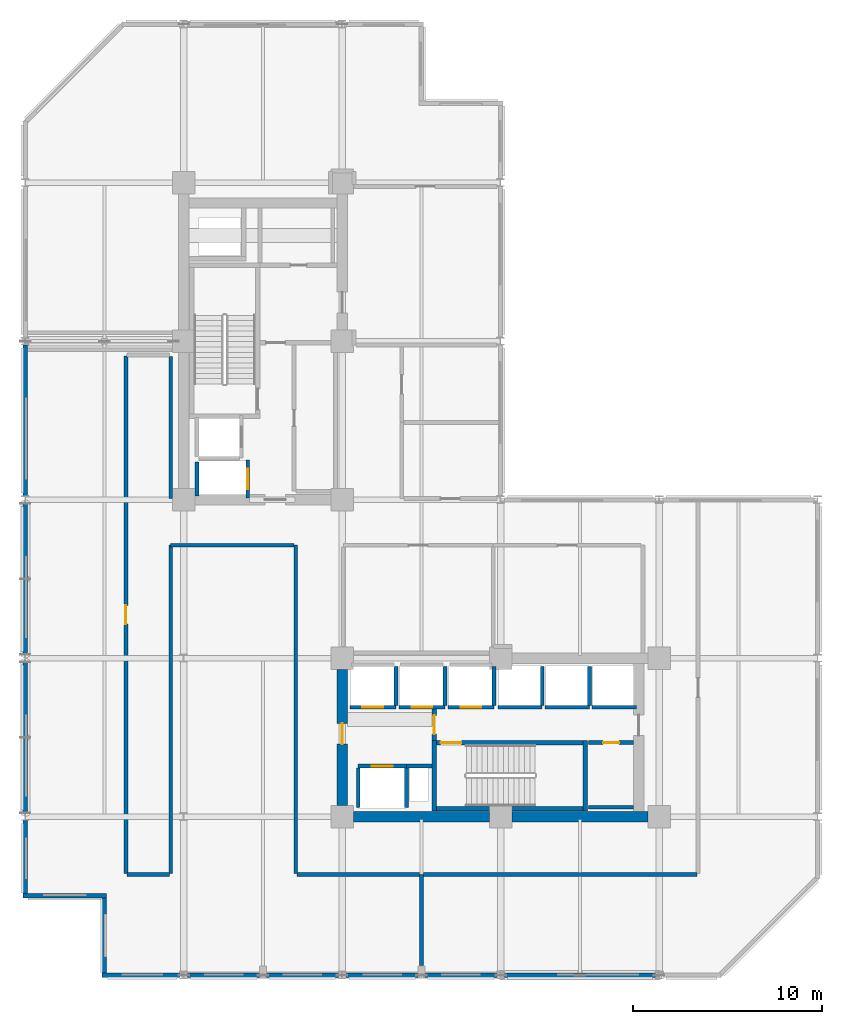
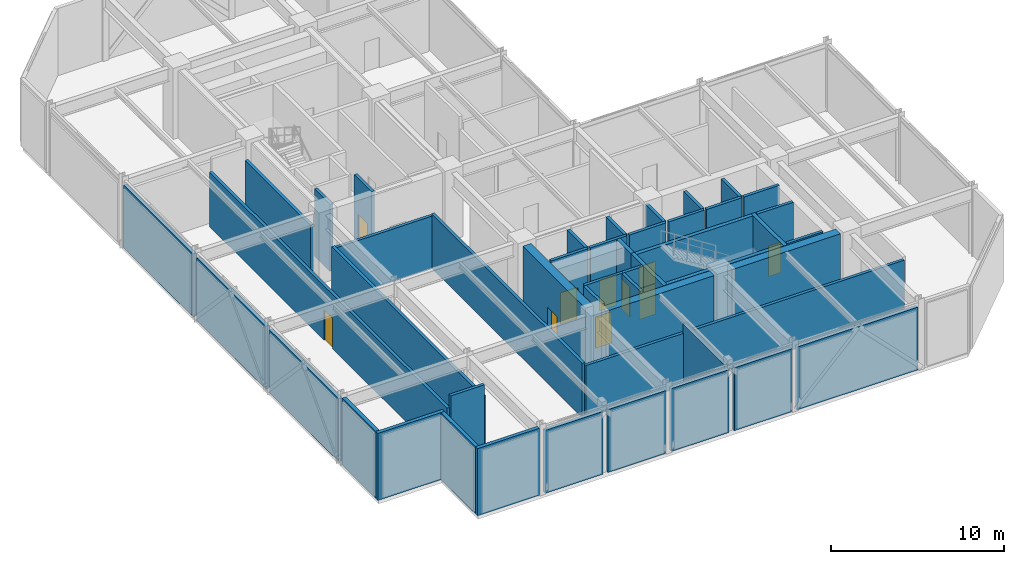
# One storey, part 5 of 10: 48 walls, 10 doors, 10 openings.
"""IFC4 building model written with IfcOpenShell, lengths in metres."""

from ifc_helpers import new_model, si_unit, direction, frame, frame_2d, origin, place, context, subcontext, project, spatial, rectangle, extrude, material, layer, layer_set, type_object, element, fill, save


model = new_model("IFC4")

# Units and contexts
model_context = context("Model", 3, precision=1e-05, world=origin(), true_north=direction((0.0, 1.0)))
body_context = subcontext(model_context, "Body", "Model", "MODEL_VIEW")
ifc_project = project(units=[si_unit("LENGTHUNIT", "METRE"), si_unit("AREAUNIT", "SQUARE_METRE"), si_unit("VOLUMEUNIT", "CUBIC_METRE"), si_unit("PLANEANGLEUNIT", "RADIAN"), si_unit("MASSUNIT", "GRAM", prefix="KILO")], contexts=[model_context])

# Site, building, storey
site_placement = place(None, origin())
site = spatial("IfcSite", under=ifc_project, at=site_placement, CompositionType="ELEMENT")
building_placement = place(site_placement, origin())
building = spatial("IfcBuilding", under=site, at=building_placement, Name="Nerrivon Quay Data Exchange", CompositionType="ELEMENT")
storey_placement = place(building_placement, frame((0.0, 0.0, 162.300048828125)))
storey = spatial("IfcBuildingStorey", under=building, at=storey_placement, Name="L38", CompositionType="ELEMENT", Elevation=162.300048828125)

# Walls
ifc_material_1 = material(Name="Architectural terracotta precast concrete N50 (50 MPa)", Category="masonry")
ifc_layer_1 = layer(ifc_material_1, 0.239990234375)
ifc_layer_set_1 = layer_set([ifc_layer_1], Name="Architectural terracotta precast concrete N50 (50 MPa)")
wall_type_1 = type_object("IfcWallType", Name="EW-PREC-240", PredefinedType="STANDARD", material=ifc_layer_set_1)
wall_1_placement = place(storey_placement, frame((33.39990234375, 0.0, 0.0), z_axis=(0.0, 0.0, 1.0), x_axis=(-1.0, 0.0, 0.0)))
element("IfcWall", 1, at=wall_1_placement, inside=storey, type_object=wall_type_1, Name="L38 Plant Enclosure Wall 3", PredefinedType="STANDARD", context=body_context, shape_type="SweptSolid", body=[
    extrude(rectangle(XDim=8.0, YDim=0.239990234375, at=frame_2d((4.0, 0.0))), origin(), (0.0, 0.0, 1.0), 4.425048828125),
])
for number, where, z_axis, x_axis, name in (
    (2, (25.0, 0.0, 0.0), (0.0, 0.0, 1.0), (-1.0, 0.0, 0.0), "L38 Plant Enclosure Wall 4"),
    (3, (20.824951171875, 0.0, 0.0), (0.0, 0.0, 1.0), (-1.0, 0.0, 0.0), "L38 Plant Enclosure Wall 5"),
):
    element("IfcWall", number, at=place(storey_placement, frame(where, z_axis=z_axis, x_axis=x_axis)), inside=storey, type_object=wall_type_1, Name=name, PredefinedType="STANDARD", context=body_context, shape_type="SweptSolid", body=[
        extrude(rectangle(XDim=3.824951171875, YDim=0.239990234375, at=frame_2d((1.91259765625, 0.0))), origin(), (0.0, 0.0, 1.0), 4.425048828125),
    ])
wall_2_placement = place(storey_placement, frame((16.60009765625, 0.0, 0.0), z_axis=(0.0, 0.0, 1.0), x_axis=(-1.0, 0.0, 0.0)))
element("IfcWall", 4, at=wall_2_placement, inside=storey, type_object=wall_type_1, Name="L38 Plant Enclosure Wall 6", PredefinedType="STANDARD", context=body_context, shape_type="SweptSolid", body=[
    extrude(rectangle(XDim=3.8251953125, YDim=0.239990234375, at=frame_2d((1.91259765625, 0.0))), origin(), (0.0, 0.0, 1.0), 4.425048828125),
])
wall_3_placement = place(storey_placement, frame((12.425048828125, 0.0, 0.0), z_axis=(0.0, 0.0, 1.0), x_axis=(-1.0, 0.0, 0.0)))
element("IfcWall", 5, at=wall_3_placement, inside=storey, type_object=wall_type_1, Name="L38 Plant Enclosure Wall 7", PredefinedType="STANDARD", context=body_context, shape_type="SweptSolid", body=[
    extrude(rectangle(XDim=3.824951171875, YDim=0.239990234375, at=frame_2d((1.91259765625, 0.0))), origin(), (0.0, 0.0, 1.0), 4.425048828125),
])
wall_4_placement = place(storey_placement, frame((8.199951171875, 0.0, 0.0), z_axis=(0.0, 0.0, 1.0), x_axis=(-1.0, 0.0, 0.0)))
element("IfcWall", 6, at=wall_4_placement, inside=storey, type_object=wall_type_1, Name="L38 Plant Enclosure Wall 8", PredefinedType="STANDARD", context=body_context, shape_type="SweptSolid", body=[
    extrude(rectangle(XDim=4.119873046875, YDim=0.239990234375, at=frame_2d((2.06005859375, 0.0))), origin(), (0.0, 0.0, 1.0), 4.724853515625),
])
wall_5_placement = place(storey_placement, frame((4.199951171875, 0.1201171875, 0.0), z_axis=(0.0, 0.0, 1.0), x_axis=(0.0, 1.0, 0.0)))
element("IfcWall", 7, at=wall_5_placement, inside=storey, type_object=wall_type_1, Name="L38 Plant Enclosure Wall 9", PredefinedType="STANDARD", context=body_context, shape_type="SweptSolid", body=[
    extrude(rectangle(XDim=3.9599609375, YDim=0.239990234375, at=frame_2d((1.97998046875, 0.0))), origin(), (0.0, 0.0, 1.0), 4.724853515625),
])
wall_6_placement = place(storey_placement, frame((4.320068359375, 4.199951171875, 0.0), z_axis=(0.0, 0.0, 1.0), x_axis=(-1.0, 0.0, 0.0)))
element("IfcWall", 8, at=wall_6_placement, inside=storey, type_object=wall_type_1, Name="L38 Plant Enclosure Wall 10", PredefinedType="STANDARD", context=body_context, shape_type="SweptSolid", body=[
    extrude(rectangle(XDim=4.440185546875, YDim=0.239990234375, at=frame_2d((2.22021484375, 0.0))), origin(), (0.0, 0.0, 1.0), 4.724853515625),
])
wall_7_placement = place(storey_placement, frame((0.0, 4.320068359375, 0.0), z_axis=(0.0, 0.0, 1.0), x_axis=(0.0, 1.0, 0.0)))
element("IfcWall", 9, at=wall_7_placement, inside=storey, type_object=wall_type_1, Name="L38 Plant Enclosure Wall 11", PredefinedType="STANDARD", context=body_context, shape_type="SweptSolid", body=[
    extrude(rectangle(XDim=3.8798828125, YDim=0.239990234375, at=frame_2d((1.93994140625, 0.0))), origin(), (0.0, 0.0, 1.0), 4.724853515625),
])
for number, where, z_axis, x_axis, name in (
    (10, (0.0, 8.60009765625, 0.0), (0.0, 0.0, 1.0), (0.0, 1.0, 0.0), "L38 Plant Enclosure Wall 12"),
    (11, (0.0, 17.0, 0.0), (0.0, 0.0, 1.0), (0.0, 1.0, 0.0), "L38 Plant Enclosure Wall 13"),
    (12, (0.0, 25.39990234375, 0.0), (0.0, 0.0, 1.0), (0.0, 1.0, 0.0), "L38 Plant Enclosure Wall 14"),
):
    element("IfcWall", number, at=place(storey_placement, frame(where, z_axis=z_axis, x_axis=x_axis)), inside=storey, type_object=wall_type_1, Name=name, PredefinedType="STANDARD", context=body_context, shape_type="SweptSolid", body=[
        extrude(rectangle(XDim=8.0, YDim=0.239990234375, at=frame_2d((4.0, 0.0))), origin(), (0.0, 0.0, 1.0), 4.425048828125),
    ])
ifc_material_2 = material(Name="Concrete S65 (65 MPa)", Category="concrete")
ifc_layer_2 = layer(ifc_material_2, 0.550048828125)
ifc_layer_set_2 = layer_set([ifc_layer_2], Name="Concrete S65 (65 MPa)")
wall_type_2 = type_object("IfcWallType", Name="WALL-CW-700", PredefinedType="SHEAR", material=ifc_layer_set_2)
wall_8_placement = place(storey_placement, frame((17.39990234375, 8.39990234375, 0.0), z_axis=(0.0, 0.0, 1.0), x_axis=(1.0, 0.0, 0.0)))
element("IfcWall", 13, at=wall_8_placement, inside=storey, type_object=wall_type_2, Name="L38 East Split-Core Shear Wall ECW-S1", PredefinedType="SHEAR", context=body_context, shape_type="SweptSolid", body=[
    extrude(rectangle(XDim=7.2001953125, YDim=0.550048828125, at=frame_2d((3.60009765625, 0.0))), origin(), (0.0, 0.0, 1.0), 4.724853515625),
])
wall_9_placement = place(storey_placement, frame((25.800048828125, 8.39990234375, 0.0), z_axis=(0.0, 0.0, 1.0), x_axis=(1.0, 0.0, 0.0)))
element("IfcWall", 14, at=wall_9_placement, inside=storey, type_object=wall_type_2, Name="L38 East Split-Core Shear Wall ECW-S2", PredefinedType="SHEAR", context=body_context, shape_type="SweptSolid", body=[
    extrude(rectangle(XDim=7.199951171875, YDim=0.550048828125, at=frame_2d((3.60009765625, 0.0))), origin(), (0.0, 0.0, 1.0), 4.724853515625),
])

# Wall, opening, door
wall_10_placement = place(storey_placement, frame((16.800048828125, 9.0, 0.0), z_axis=(0.0, 0.0, 1.0), x_axis=(0.0, 1.0, 0.0)))
wall_10 = element("IfcWall", 15, at=wall_10_placement, inside=storey, type_object=wall_type_2, Name="L38 East Split-Core Shear Wall ECW-W1", PredefinedType="SHEAR", context=body_context, shape_type="SweptSolid", body=[
    extrude(rectangle(XDim=7.199951171875, YDim=0.550048828125, at=frame_2d((3.60009765625, 0.0))), origin(), (0.0, 0.0, 1.0), 4.724853515625),
])
opening_1_placement = place(wall_10_placement, frame((3.25, 0.0, 0.0)))
opening_1 = element("IfcOpeningElement", 16, at=opening_1_placement, cuts=wall_10, Name="Opening FD-120", PredefinedType="OPENING", context=body_context, shape_type="SweptSolid", body=[
    extrude(rectangle(XDim=1.10009765625, YDim=2.14990234375, at=frame_2d((0.550048828125, 1.074951171875))), frame((0.0, 0.284912109375, 0.0), z_axis=(0.0, -1.0, 0.0), x_axis=(1.0, 0.0, 0.0)), (0.0, 0.0, 1.0), 0.570068359375),
])
ifc_material_3 = material(Name="Powder-coated galvanized steel sheet", Category="steel")
door_type_1 = type_object("IfcDoorType", Name="DR-FD120-1100", OperationType="NOTDEFINED", PredefinedType="DOOR", material=ifc_material_3)
door_1_placement = place(opening_1_placement, origin())
door_1 = element("IfcDoor", 17, at=door_1_placement, inside=storey, type_object=door_type_1, Name="L38 East Core Lobby Fire Door", OperationType="SINGLE_SWING_LEFT", OverallHeight=2.14990234375, OverallWidth=1.10009765625, PredefinedType="DOOR", context=body_context, shape_type="SweptSolid", body=[
    extrude(rectangle(XDim=1.10009765625, YDim=2.14990234375, at=frame_2d((0.550048828125, 1.074951171875))), frame((0.0, 0.02490234375, 0.0), z_axis=(0.0, -1.0, 0.0), x_axis=(1.0, 0.0, 0.0)), (0.0, 0.0, 1.0), 0.050048828125),
])
fill(opening_1, door_1)

# Wall
ifc_material_4 = material(Name="Gypsum plasterboard on cold-formed framing", Category="gypsum")
ifc_layer_3 = layer(ifc_material_4, 0.199951171875)
ifc_layer_set_3 = layer_set([ifc_layer_3], Name="Gypsum plasterboard on cold-formed framing")
wall_type_3 = type_object("IfcWallType", Name="WALL-FW-200", PredefinedType="PARTITIONING", material=ifc_layer_set_3)
wall_11_placement = place(storey_placement, frame((20.199951171875, 11.080078125, 0.0), z_axis=(0.0, 0.0, 1.0), x_axis=(1.0, 0.0, 0.0)))
element("IfcWall", 18, at=wall_11_placement, inside=storey, type_object=wall_type_3, Name="L38 East Core MEP Riser Shaft Wall N", PredefinedType="PARTITIONING", context=body_context, shape_type="SweptSolid", body=[
    extrude(rectangle(XDim=1.35009765625, YDim=0.199951171875, at=frame_2d((0.675048828125, 0.0))), origin(), (0.0, 0.0, 1.0), 4.724853515625),
])

# Wall, opening, door
wall_12_placement = place(storey_placement, frame((11.800048828125, 25.300048828125, 0.0), z_axis=(0.0, 0.0, 1.0), x_axis=(0.0, 1.0, 0.0)))
wall_12 = element("IfcWall", 19, at=wall_12_placement, inside=storey, type_object=wall_type_3, Name="L38 Lift Front Wall SVL-1", PredefinedType="PARTITIONING", context=body_context, shape_type="SweptSolid", body=[
    extrude(rectangle(XDim=2.0, YDim=0.199951171875, at=frame_2d((1.0, 0.0))), origin(), (0.0, 0.0, 1.0), 4.724853515625),
])
opening_2_placement = place(wall_12_placement, frame((0.449951171875, 0.0, 0.0)))
opening_2 = element("IfcOpeningElement", 20, at=opening_2_placement, cuts=wall_12, Name="Opening LD-120", PredefinedType="OPENING", context=body_context, shape_type="SweptSolid", body=[
    extrude(rectangle(XDim=1.10009765625, YDim=2.199951171875, at=frame_2d((0.550048828125, 1.10009765625))), frame((0.0, 0.10986328125, 0.0), z_axis=(0.0, -1.0, 0.0), x_axis=(1.0, 0.0, 0.0)), (0.0, 0.0, 1.0), 0.219970703125),
])
door_type_2 = type_object("IfcDoorType", Name="DR-LIFT-LD120", OperationType="DOUBLE_DOOR_SLIDING", PredefinedType="DOOR", material=ifc_material_3)
door_2_placement = place(opening_2_placement, origin())
door_2 = element("IfcDoor", 21, at=door_2_placement, inside=storey, type_object=door_type_2, Name="L38 Lift Landing Sliding Door SVL-1", OperationType="DOUBLE_DOOR_SLIDING", OverallHeight=2.199951171875, OverallWidth=1.10009765625, PredefinedType="DOOR", context=body_context, shape_type="SweptSolid", body=[
    extrude(rectangle(XDim=1.10009765625, YDim=2.199951171875, at=frame_2d((0.550048828125, 1.10009765625))), frame((0.0, 0.02490234375, 0.0), z_axis=(0.0, -1.0, 0.0), x_axis=(1.0, 0.0, 0.0)), (0.0, 0.0, 1.0), 0.050048828125),
])
fill(opening_2, door_2)

# Wall
wall_13_placement = place(storey_placement, frame((9.10009765625, 25.39990234375, 0.0), z_axis=(0.0, 0.0, 1.0), x_axis=(0.0, 1.0, 0.0)))
element("IfcWall", 22, at=wall_13_placement, inside=storey, type_object=wall_type_3, Name="L38 Lift Shaft Wall SVL-1 WEST", PredefinedType="PARTITIONING", context=body_context, shape_type="SweptSolid", body=[
    extrude(rectangle(XDim=1.800048828125, YDim=0.199951171875, at=frame_2d((0.89990234375, 0.0))), origin(), (0.0, 0.0, 1.0), 4.724853515625),
])

# Wall, opening, door
wall_14_placement = place(storey_placement, frame((17.64990234375, 11.080078125, 0.0), z_axis=(0.0, 0.0, 1.0), x_axis=(1.0, 0.0, 0.0)))
wall_14 = element("IfcWall", 23, at=wall_14_placement, inside=storey, type_object=wall_type_3, Name="L38 Lift Front Wall FFL-2", PredefinedType="PARTITIONING", context=body_context, shape_type="SweptSolid", body=[
    extrude(rectangle(XDim=2.550048828125, YDim=0.199951171875, at=frame_2d((1.27490234375, 0.0))), origin(), (0.0, 0.0, 1.0), 4.724853515625),
])
opening_3_placement = place(wall_14_placement, frame((0.72509765625, 0.0, 0.0)))
opening_3 = element("IfcOpeningElement", 24, at=opening_3_placement, cuts=wall_14, Name="Opening LD-120", PredefinedType="OPENING", context=body_context, shape_type="SweptSolid", body=[
    extrude(rectangle(XDim=1.10009765625, YDim=2.199951171875, at=frame_2d((0.550048828125, 1.10009765625))), frame((0.0, 0.10986328125, 0.0), z_axis=(0.0, -1.0, 0.0), x_axis=(1.0, 0.0, 0.0)), (0.0, 0.0, 1.0), 0.219970703125),
])
door_3_placement = place(opening_3_placement, origin())
door_3 = element("IfcDoor", 25, at=door_3_placement, inside=storey, type_object=door_type_2, Name="L38 Lift Landing Sliding Door FFL-2", OperationType="DOUBLE_DOOR_SLIDING", OverallHeight=2.199951171875, OverallWidth=1.10009765625, PredefinedType="DOOR", context=body_context, shape_type="SweptSolid", body=[
    extrude(rectangle(XDim=1.10009765625, YDim=2.199951171875, at=frame_2d((0.550048828125, 1.10009765625))), frame((0.0, 0.02490234375, 0.0), z_axis=(0.0, -1.0, 0.0), x_axis=(1.0, 0.0, 0.0)), (0.0, 0.0, 1.0), 0.050048828125),
])
fill(opening_3, door_3)

# Walls
for number, where, z_axis, x_axis, name in (
    (26, (20.199951171875, 8.8798828125, 0.0), (0.0, 0.0, 1.0), (0.0, 1.0, 0.0), "L38 Lift Shaft Wall FFL-2 EAST"),
    (27, (17.64990234375, 8.8798828125, 0.0), (0.0, 0.0, 1.0), (0.0, 1.0, 0.0), "L38 Lift Shaft Wall FFL-2 WEST"),
):
    element("IfcWall", number, at=place(storey_placement, frame(where, z_axis=z_axis, x_axis=x_axis)), inside=storey, type_object=wall_type_3, Name=name, PredefinedType="PARTITIONING", context=body_context, shape_type="SweptSolid", body=[
        extrude(rectangle(XDim=2.10009765625, YDim=0.199951171875, at=frame_2d((1.050048828125, 0.0))), origin(), (0.0, 0.0, 1.0), 4.724853515625),
    ])

# Wall, opening, door
wall_15_placement = place(storey_placement, frame((17.199951171875, 14.199951171875, 0.0), z_axis=(0.0, 0.0, 1.0), x_axis=(1.0, 0.0, 0.0)))
wall_15 = element("IfcWall", 28, at=wall_15_placement, inside=storey, type_object=wall_type_3, Name="L38 Lift Front Wall PL4", PredefinedType="PARTITIONING", context=body_context, shape_type="SweptSolid", body=[
    extrude(rectangle(XDim=2.449951171875, YDim=0.199951171875, at=frame_2d((1.22509765625, 0.0))), origin(), (0.0, 0.0, 1.0), 4.724853515625),
])
opening_4_placement = place(wall_15_placement, frame((0.675048828125, 0.0, 0.0)))
opening_4 = element("IfcOpeningElement", 29, at=opening_4_placement, cuts=wall_15, Name="Opening LD-120", PredefinedType="OPENING", context=body_context, shape_type="SweptSolid", body=[
    extrude(rectangle(XDim=1.10009765625, YDim=2.199951171875, at=frame_2d((0.550048828125, 1.10009765625))), frame((0.0, 0.10986328125, 0.0), z_axis=(0.0, -1.0, 0.0), x_axis=(1.0, 0.0, 0.0)), (0.0, 0.0, 1.0), 0.219970703125),
])
door_4_placement = place(opening_4_placement, origin())
door_4 = element("IfcDoor", 30, at=door_4_placement, inside=storey, type_object=door_type_2, Name="L38 Lift Landing Sliding Door PL4", OperationType="DOUBLE_DOOR_SLIDING", OverallHeight=2.199951171875, OverallWidth=1.10009765625, PredefinedType="DOOR", context=body_context, shape_type="SweptSolid", body=[
    extrude(rectangle(XDim=1.10009765625, YDim=2.199951171875, at=frame_2d((0.550048828125, 1.10009765625))), frame((0.0, 0.02490234375, 0.0), z_axis=(0.0, -1.0, 0.0), x_axis=(1.0, 0.0, 0.0)), (0.0, 0.0, 1.0), 0.050048828125),
])
fill(opening_4, door_4)

# Wall
wall_16_placement = place(storey_placement, frame((19.64990234375, 14.300048828125, 0.0), z_axis=(0.0, 0.0, 1.0), x_axis=(0.0, 1.0, 0.0)))
element("IfcWall", 31, at=wall_16_placement, inside=storey, type_object=wall_type_3, Name="L38 Lift Shaft Wall PL4 EAST", PredefinedType="PARTITIONING", context=body_context, shape_type="SweptSolid", body=[
    extrude(rectangle(XDim=2.050048828125, YDim=0.199951171875, at=frame_2d((1.02490234375, 0.0))), origin(), (0.0, 0.0, 1.0), 4.724853515625),
])

# Wall, opening, door
wall_17_placement = place(storey_placement, frame((19.800048828125, 14.199951171875, 0.0), z_axis=(0.0, 0.0, 1.0), x_axis=(1.0, 0.0, 0.0)))
wall_17 = element("IfcWall", 32, at=wall_17_placement, inside=storey, type_object=wall_type_3, Name="L38 Lift Front Wall PL5", PredefinedType="PARTITIONING", context=body_context, shape_type="SweptSolid", body=[
    extrude(rectangle(XDim=2.449951171875, YDim=0.199951171875, at=frame_2d((1.22509765625, 0.0))), origin(), (0.0, 0.0, 1.0), 4.724853515625),
])
opening_5_placement = place(wall_17_placement, frame((0.675048828125, 0.0, 0.0)))
opening_5 = element("IfcOpeningElement", 33, at=opening_5_placement, cuts=wall_17, Name="Opening LD-120", PredefinedType="OPENING", context=body_context, shape_type="SweptSolid", body=[
    extrude(rectangle(XDim=1.10009765625, YDim=2.199951171875, at=frame_2d((0.550048828125, 1.10009765625))), frame((0.0, 0.10986328125, 0.0), z_axis=(0.0, -1.0, 0.0), x_axis=(1.0, 0.0, 0.0)), (0.0, 0.0, 1.0), 0.219970703125),
])
door_5_placement = place(opening_5_placement, origin())
door_5 = element("IfcDoor", 34, at=door_5_placement, inside=storey, type_object=door_type_2, Name="L38 Lift Landing Sliding Door PL5", OperationType="DOUBLE_DOOR_SLIDING", OverallHeight=2.199951171875, OverallWidth=1.10009765625, PredefinedType="DOOR", context=body_context, shape_type="SweptSolid", body=[
    extrude(rectangle(XDim=1.10009765625, YDim=2.199951171875, at=frame_2d((0.550048828125, 1.10009765625))), frame((0.0, 0.02490234375, 0.0), z_axis=(0.0, -1.0, 0.0), x_axis=(1.0, 0.0, 0.0)), (0.0, 0.0, 1.0), 0.050048828125),
])
fill(opening_5, door_5)

# Wall
wall_18_placement = place(storey_placement, frame((22.25, 14.300048828125, 0.0), z_axis=(0.0, 0.0, 1.0), x_axis=(0.0, 1.0, 0.0)))
element("IfcWall", 35, at=wall_18_placement, inside=storey, type_object=wall_type_3, Name="L38 Lift Shaft Wall PL5 EAST", PredefinedType="PARTITIONING", context=body_context, shape_type="SweptSolid", body=[
    extrude(rectangle(XDim=2.050048828125, YDim=0.199951171875, at=frame_2d((1.02490234375, 0.0))), origin(), (0.0, 0.0, 1.0), 4.724853515625),
])

# Wall, opening, door
wall_19_placement = place(storey_placement, frame((22.39990234375, 14.199951171875, 0.0), z_axis=(0.0, 0.0, 1.0), x_axis=(1.0, 0.0, 0.0)))
wall_19 = element("IfcWall", 36, at=wall_19_placement, inside=storey, type_object=wall_type_3, Name="L38 Lift Front Wall PL6", PredefinedType="PARTITIONING", context=body_context, shape_type="SweptSolid", body=[
    extrude(rectangle(XDim=2.4501953125, YDim=0.199951171875, at=frame_2d((1.22509765625, 0.0))), origin(), (0.0, 0.0, 1.0), 4.724853515625),
])
opening_6_placement = place(wall_19_placement, frame((0.675048828125, 0.0, 0.0)))
opening_6 = element("IfcOpeningElement", 37, at=opening_6_placement, cuts=wall_19, Name="Opening LD-120", PredefinedType="OPENING", context=body_context, shape_type="SweptSolid", body=[
    extrude(rectangle(XDim=1.10009765625, YDim=2.199951171875, at=frame_2d((0.550048828125, 1.10009765625))), frame((0.0, 0.10986328125, 0.0), z_axis=(0.0, -1.0, 0.0), x_axis=(1.0, 0.0, 0.0)), (0.0, 0.0, 1.0), 0.219970703125),
])
door_6_placement = place(opening_6_placement, origin())
door_6 = element("IfcDoor", 38, at=door_6_placement, inside=storey, type_object=door_type_2, Name="L38 Lift Landing Sliding Door PL6", OperationType="DOUBLE_DOOR_SLIDING", OverallHeight=2.199951171875, OverallWidth=1.10009765625, PredefinedType="DOOR", context=body_context, shape_type="SweptSolid", body=[
    extrude(rectangle(XDim=1.10009765625, YDim=2.199951171875, at=frame_2d((0.550048828125, 1.10009765625))), frame((0.0, 0.02490234375, 0.0), z_axis=(0.0, -1.0, 0.0), x_axis=(1.0, 0.0, 0.0)), (0.0, 0.0, 1.0), 0.050048828125),
])
fill(opening_6, door_6)

# Walls
wall_20_placement = place(storey_placement, frame((24.85009765625, 14.300048828125, 0.0), z_axis=(0.0, 0.0, 1.0), x_axis=(0.0, 1.0, 0.0)))
element("IfcWall", 39, at=wall_20_placement, inside=storey, type_object=wall_type_3, Name="L38 Lift Shaft Wall PL6 EAST", PredefinedType="PARTITIONING", context=body_context, shape_type="SweptSolid", body=[
    extrude(rectangle(XDim=2.050048828125, YDim=0.199951171875, at=frame_2d((1.02490234375, 0.0))), origin(), (0.0, 0.0, 1.0), 4.724853515625),
])
wall_21_placement = place(storey_placement, frame((25.050048828125, 14.199951171875, 0.0), z_axis=(0.0, 0.0, 1.0), x_axis=(1.0, 0.0, 0.0)))
element("IfcWall", 40, at=wall_21_placement, inside=storey, type_object=wall_type_3, Name="L38 Lift Front Wall PL7", PredefinedType="PARTITIONING", context=body_context, shape_type="SweptSolid", body=[
    extrude(rectangle(XDim=2.349853515625, YDim=0.199951171875, at=frame_2d((1.1748046875, 0.0))), origin(), (0.0, 0.0, 1.0), 4.724853515625),
])
wall_22_placement = place(storey_placement, frame((27.39990234375, 14.300048828125, 0.0), z_axis=(0.0, 0.0, 1.0), x_axis=(0.0, 1.0, 0.0)))
element("IfcWall", 41, at=wall_22_placement, inside=storey, type_object=wall_type_3, Name="L38 Lift Shaft Wall PL7 EAST", PredefinedType="PARTITIONING", context=body_context, shape_type="SweptSolid", body=[
    extrude(rectangle(XDim=2.050048828125, YDim=0.199951171875, at=frame_2d((1.02490234375, 0.0))), origin(), (0.0, 0.0, 1.0), 4.724853515625),
])
wall_23_placement = place(storey_placement, frame((27.550048828125, 14.199951171875, 0.0), z_axis=(0.0, 0.0, 1.0), x_axis=(1.0, 0.0, 0.0)))
element("IfcWall", 42, at=wall_23_placement, inside=storey, type_object=wall_type_3, Name="L38 Lift Front Wall PL8", PredefinedType="PARTITIONING", context=body_context, shape_type="SweptSolid", body=[
    extrude(rectangle(XDim=2.349853515625, YDim=0.199951171875, at=frame_2d((1.1748046875, 0.0))), origin(), (0.0, 0.0, 1.0), 4.724853515625),
])
wall_24_placement = place(storey_placement, frame((29.89990234375, 14.300048828125, 0.0), z_axis=(0.0, 0.0, 1.0), x_axis=(0.0, 1.0, 0.0)))
element("IfcWall", 43, at=wall_24_placement, inside=storey, type_object=wall_type_3, Name="L38 Lift Shaft Wall PL8 EAST", PredefinedType="PARTITIONING", context=body_context, shape_type="SweptSolid", body=[
    extrude(rectangle(XDim=2.050048828125, YDim=0.199951171875, at=frame_2d((1.02490234375, 0.0))), origin(), (0.0, 0.0, 1.0), 4.724853515625),
])
wall_25_placement = place(storey_placement, frame((30.050048828125, 14.199951171875, 0.0), z_axis=(0.0, 0.0, 1.0), x_axis=(1.0, 0.0, 0.0)))
element("IfcWall", 44, at=wall_25_placement, inside=storey, type_object=wall_type_3, Name="L38 Lift Front Wall PL9", PredefinedType="PARTITIONING", context=body_context, shape_type="SweptSolid", body=[
    extrude(rectangle(XDim=2.349853515625, YDim=0.199951171875, at=frame_2d((1.1748046875, 0.0))), origin(), (0.0, 0.0, 1.0), 4.724853515625),
])

# Wall, opening, door
wall_26_placement = place(storey_placement, frame((32.24609375, 12.330078125, 0.0), z_axis=(0.0, 0.0, 1.0), x_axis=(-1.0, 0.0, 0.0)))
wall_26 = element("IfcWall", 45, at=wall_26_placement, inside=storey, type_object=wall_type_3, Name="L38 Partition East Telecom Closet", PredefinedType="PARTITIONING", context=body_context, shape_type="SweptSolid", body=[
    extrude(rectangle(XDim=2.39599609375, YDim=0.199951171875, at=frame_2d((1.197998046875, 0.0))), origin(), (0.0, 0.0, 1.0), 4.724853515625),
])
opening_7_placement = place(wall_26_placement, frame((0.77294921875, 0.0, 0.0)))
opening_7 = element("IfcOpeningElement", 46, at=opening_7_placement, cuts=wall_26, Name="Opening FD-60S", PredefinedType="OPENING", context=body_context, shape_type="SweptSolid", body=[
    extrude(rectangle(XDim=0.85009765625, YDim=2.14990234375, at=frame_2d((0.425048828125, 1.074951171875))), frame((0.0, 0.10986328125, 0.0), z_axis=(0.0, -1.0, 0.0), x_axis=(1.0, 0.0, 0.0)), (0.0, 0.0, 1.0), 0.219970703125),
])
ifc_material_5 = material(Name="Engineered hardwood timber", Category="wood")
door_type_3 = type_object("IfcDoorType", Name="DR-FD60-850", OperationType="NOTDEFINED", PredefinedType="DOOR", material=ifc_material_5)
door_7_placement = place(opening_7_placement, origin())
door_7 = element("IfcDoor", 47, at=door_7_placement, inside=storey, type_object=door_type_3, Name="L38 Door East Telecom Closet", OperationType="SINGLE_SWING_RIGHT", OverallHeight=2.14990234375, OverallWidth=0.85009765625, PredefinedType="DOOR", context=body_context, shape_type="SweptSolid", body=[
    extrude(rectangle(XDim=0.85009765625, YDim=2.14990234375, at=frame_2d((0.425048828125, 1.074951171875))), frame((0.0, 0.02490234375, 0.0), z_axis=(0.0, -1.0, 0.0), x_axis=(1.0, 0.0, 0.0)), (0.0, 0.0, 1.0), 0.050048828125),
])
fill(opening_7, door_7)

# Walls
wall_27_placement = place(storey_placement, frame((29.85009765625, 8.89990234375, 0.0), z_axis=(0.0, 0.0, 1.0), x_axis=(1.0, 0.0, 0.0)))
element("IfcWall", 48, at=wall_27_placement, inside=storey, type_object=wall_type_3, Name="L38 Partition East Telecom Closet", PredefinedType="PARTITIONING", context=body_context, shape_type="SweptSolid", body=[
    extrude(rectangle(XDim=2.39599609375, YDim=0.199951171875, at=frame_2d((1.197998046875, 0.0))), origin(), (0.0, 0.0, 1.0), 4.724853515625),
])
wall_28_placement = place(storey_placement, frame((21.0, 0.52001953125, 0.0), z_axis=(0.0, 0.0, 1.0), x_axis=(0.0, 1.0, 0.0)))
element("IfcWall", 49, at=wall_28_placement, inside=storey, type_object=wall_type_3, Name="L38 Partition Standby Generator Hall", PredefinedType="PARTITIONING", context=body_context, shape_type="SweptSolid", body=[
    extrude(rectangle(XDim=4.820068359375, YDim=0.199951171875, at=frame_2d((2.41015625, 0.0))), origin(), (0.0, 0.0, 1.0), 4.322021484375),
])
wall_29_placement = place(storey_placement, frame((20.89599609375, 5.340087890625, 0.0), z_axis=(0.0, 0.0, 1.0), x_axis=(-1.0, 0.0, 0.0)))
element("IfcWall", 50, at=wall_29_placement, inside=storey, type_object=wall_type_3, Name="L38 Partition Standby Generator Hall", PredefinedType="PARTITIONING", context=body_context, shape_type="SweptSolid", body=[
    extrude(rectangle(XDim=6.49609375, YDim=0.199951171875, at=frame_2d((3.248046875, 0.0))), origin(), (0.0, 0.0, 1.0), 3.708984375),
])
wall_30_placement = place(storey_placement, frame((14.340087890625, 5.39990234375, 0.0), z_axis=(0.0, 0.0, 1.0), x_axis=(0.0, 1.0, 0.0)))
element("IfcWall", 51, at=wall_30_placement, inside=storey, type_object=wall_type_3, Name="L38 Partition Standby Generator Hall", PredefinedType="PARTITIONING", context=body_context, shape_type="SweptSolid", body=[
    extrude(rectangle(XDim=17.39013671875, YDim=0.199951171875, at=frame_2d((8.695068359375, 0.0))), origin(), (0.0, 0.0, 1.0), 3.824951171875),
])
wall_31_placement = place(storey_placement, frame((14.236083984375, 22.7900390625, 0.0), z_axis=(0.0, 0.0, 1.0), x_axis=(-1.0, 0.0, 0.0)))
element("IfcWall", 52, at=wall_31_placement, inside=storey, type_object=wall_type_3, Name="L38 Partition Standby Generator Hall", PredefinedType="PARTITIONING", context=body_context, shape_type="SweptSolid", body=[
    extrude(rectangle(XDim=6.526123046875, YDim=0.199951171875, at=frame_2d((3.26318359375, 0.0))), origin(), (0.0, 0.0, 1.0), 3.708984375),
])
wall_32_placement = place(storey_placement, frame((7.7099609375, 22.7900390625, 0.0), z_axis=(0.0, 0.0, 1.0), x_axis=(-1.40343e-05, -0.999999999902, 0.0)))
element("IfcWall", 53, at=wall_32_placement, inside=storey, type_object=wall_type_3, Name="L38 Partition Standby Generator Hall", PredefinedType="PARTITIONING", context=body_context, shape_type="SweptSolid", body=[
    extrude(rectangle(XDim=17.39599609375, YDim=0.199951171875, at=frame_2d((8.697998046875, 0.0))), origin(), (0.0, 0.0, 1.0), 3.824951171875),
])
wall_33_placement = place(storey_placement, frame((7.64990234375, 5.340087890625, 0.0), z_axis=(0.0, 0.0, 1.0), x_axis=(-1.0, 0.0, 0.0)))
element("IfcWall", 54, at=wall_33_placement, inside=storey, type_object=wall_type_3, Name="L38 Partition Standby Generator Hall", PredefinedType="PARTITIONING", context=body_context, shape_type="SweptSolid", body=[
    extrude(rectangle(XDim=2.25, YDim=0.199951171875, at=frame_2d((1.125, 0.0))), origin(), (0.0, 0.0, 1.0), 4.724853515625),
])

# Wall, opening, door
wall_34_placement = place(storey_placement, frame((5.340087890625, 5.39990234375, 0.0), z_axis=(0.0, 0.0, 1.0), x_axis=(8.908289e-06, 0.99999999996, 0.0)))
wall_34 = element("IfcWall", 55, at=wall_34_placement, inside=storey, type_object=wall_type_3, Name="L38 Partition Standby Generator Hall", PredefinedType="PARTITIONING", context=body_context, shape_type="SweptSolid", body=[
    extrude(rectangle(XDim=27.406005859375, YDim=0.199951171875, at=frame_2d((13.703125, 0.0))), origin(), (0.0, 0.0, 1.0), 3.824951171875),
])
opening_8_placement = place(wall_34_placement, frame((13.202880859375, 0.0, 0.0)))
opening_8 = element("IfcOpeningElement", 56, at=opening_8_placement, cuts=wall_34, Name="Opening FD-60", PredefinedType="OPENING", context=body_context, shape_type="SweptSolid", body=[
    extrude(rectangle(XDim=1.0, YDim=2.14990234375, at=frame_2d((0.5, 1.074951171875))), frame((0.0, 0.10986328125, 0.0), z_axis=(0.0, -1.0, 0.0), x_axis=(1.0, 0.0, 0.0)), (0.0, 0.0, 1.0), 0.219970703125),
])
door_type_4 = type_object("IfcDoorType", Name="DR-FD60-1000", OperationType="NOTDEFINED", PredefinedType="DOOR", material=ifc_material_5)
door_8_placement = place(opening_8_placement, origin())
door_8 = element("IfcDoor", 57, at=door_8_placement, inside=storey, type_object=door_type_4, Name="L38 Door Standby Generator Hall", OperationType="SINGLE_SWING_LEFT", OverallHeight=2.14990234375, OverallWidth=1.0, PredefinedType="DOOR", context=body_context, shape_type="SweptSolid", body=[
    extrude(rectangle(XDim=1.0, YDim=2.14990234375, at=frame_2d((0.5, 1.074951171875))), frame((0.0, 0.02490234375, 0.0), z_axis=(0.0, -1.0, 0.0), x_axis=(1.0, 0.0, 0.0)), (0.0, 0.0, 1.0), 0.050048828125),
])
fill(opening_8, door_8)

# Walls
wall_35_placement = place(storey_placement, frame((7.7099609375, 32.800048828125, 0.0), z_axis=(0.0, 0.0, 1.0), x_axis=(0.0, -1.0, 0.0)))
element("IfcWall", 58, at=wall_35_placement, inside=storey, type_object=wall_type_3, Name="L38 Partition Standby Generator Hall", PredefinedType="PARTITIONING", context=body_context, shape_type="SweptSolid", body=[
    extrude(rectangle(XDim=7.5400390625, YDim=0.199951171875, at=frame_2d((3.77001953125, 0.0))), origin(), (0.0, 0.0, 1.0), 3.824951171875),
])
wall_36_placement = place(storey_placement, frame((35.60009765625, 5.340087890625, 0.0), z_axis=(0.0, 0.0, 1.0), x_axis=(-1.0, 0.0, 0.0)))
element("IfcWall", 59, at=wall_36_placement, inside=storey, type_object=wall_type_3, Name="L38 Partition Primary AHU Ventilation Room", PredefinedType="PARTITIONING", context=body_context, shape_type="SweptSolid", body=[
    extrude(rectangle(XDim=14.49609375, YDim=0.199951171875, at=frame_2d((7.248046875, 0.0))), origin(), (0.0, 0.0, 1.0), 3.708984375),
])
ifc_material_6 = material(Name="Concrete N50 (50 MPa)", Category="concrete")
ifc_layer_4 = layer(ifc_material_6, 0.25)
ifc_layer_set_4 = layer_set([ifc_layer_4], Name="Concrete N50 (50 MPa)")
wall_type_4 = type_object("IfcWallType", Name="WALL-SW-250", PredefinedType="SHEAR", material=ifc_layer_set_4)
for number, where, z_axis, x_axis, name in (
    (60, (21.675048828125, 8.699951171875, 0.0), (0.0, 0.0, 1.0), (0.0, 1.0, 0.0), "L38 ST02 Structural Stair Core Wall NEAR"),
    (61, (29.675048828125, 8.699951171875, 0.0), (0.0, 0.0, 1.0), (0.0, 1.0, 0.0), "L38 ST02 Structural Stair Core Wall FAR"),
):
    element("IfcWall", number, at=place(storey_placement, frame(where, z_axis=z_axis, x_axis=x_axis)), inside=storey, type_object=wall_type_4, Name=name, PredefinedType="SHEAR", context=body_context, shape_type="SweptSolid", body=[
        extrude(rectangle(XDim=3.75, YDim=0.25, at=frame_2d((1.875, 0.0))), origin(), (0.0, 0.0, 1.0), 4.724853515625),
    ])
wall_37_placement = place(storey_placement, frame((21.800048828125, 8.824951171875, 0.0), z_axis=(0.0, 0.0, 1.0), x_axis=(1.0, 0.0, 0.0)))
element("IfcWall", 62, at=wall_37_placement, inside=storey, type_object=wall_type_4, Name="L38 ST02 Structural Stair Core Wall LEFT", PredefinedType="SHEAR", context=body_context, shape_type="SweptSolid", body=[
    extrude(rectangle(XDim=7.75, YDim=0.25, at=frame_2d((3.875, 0.0))), origin(), (0.0, 0.0, 1.0), 4.724853515625),
])

# Wall, opening, door
wall_38_placement = place(storey_placement, frame((21.800048828125, 12.324951171875, 0.0), z_axis=(0.0, 0.0, 1.0), x_axis=(1.0, 0.0, 0.0)))
wall_38 = element("IfcWall", 63, at=wall_38_placement, inside=storey, type_object=wall_type_4, Name="L38 ST02 Structural Stair Core Wall RIGHT", PredefinedType="SHEAR", context=body_context, shape_type="SweptSolid", body=[
    extrude(rectangle(XDim=7.75, YDim=0.25, at=frame_2d((3.875, 0.0))), origin(), (0.0, 0.0, 1.0), 4.724853515625),
])
opening_9_placement = place(wall_38_placement, frame((0.219970703125, 0.0, 0.0)))
opening_9 = element("IfcOpeningElement", 64, at=opening_9_placement, cuts=wall_38, Name="Opening FD-120", PredefinedType="OPENING", context=body_context, shape_type="SweptSolid", body=[
    extrude(rectangle(XDim=1.10009765625, YDim=2.14990234375, at=frame_2d((0.550048828125, 1.074951171875))), frame((0.0, 0.135009765625, 0.0), z_axis=(0.0, -1.0, 0.0), x_axis=(1.0, 0.0, 0.0)), (0.0, 0.0, 1.0), 0.27001953125),
])
door_9_placement = place(opening_9_placement, origin())
door_9 = element("IfcDoor", 65, at=door_9_placement, inside=storey, type_object=door_type_1, Name="L38 Protected Stair Door ST02", OperationType="SINGLE_SWING_LEFT", OverallHeight=2.14990234375, OverallWidth=1.10009765625, PredefinedType="DOOR", context=body_context, shape_type="SweptSolid", body=[
    extrude(rectangle(XDim=1.10009765625, YDim=2.14990234375, at=frame_2d((0.550048828125, 1.074951171875))), frame((0.0, 0.02490234375, 0.0), z_axis=(0.0, -1.0, 0.0), x_axis=(1.0, 0.0, 0.0)), (0.0, 0.0, 1.0), 0.050048828125),
])
fill(opening_9, door_9)

wall_39_placement = place(storey_placement, frame((21.679931640625, 12.449951171875, 0.0), z_axis=(0.0, 0.0, 1.0), x_axis=(0.0, 1.0, 0.0)))
wall_39 = element("IfcWall", 66, at=wall_39_placement, inside=storey, type_object=wall_type_4, Name="L38 East Firefighting Lobby Wall", PredefinedType="SHEAR", context=body_context, shape_type="SweptSolid", body=[
    extrude(rectangle(XDim=1.650146484375, YDim=0.25, at=frame_2d((0.8251953125, 0.0))), origin(), (0.0, 0.0, 1.0), 4.724853515625),
])
opening_10_placement = place(wall_39_placement, frame((0.324951171875, 0.0, 0.0)))
opening_10 = element("IfcOpeningElement", 67, at=opening_10_placement, cuts=wall_39, Name="Opening FD-60", PredefinedType="OPENING", context=body_context, shape_type="SweptSolid", body=[
    extrude(rectangle(XDim=1.0, YDim=2.14990234375, at=frame_2d((0.5, 1.074951171875))), frame((0.0, 0.135009765625, 0.0), z_axis=(0.0, -1.0, 0.0), x_axis=(1.0, 0.0, 0.0)), (0.0, 0.0, 1.0), 0.27001953125),
])
door_10_placement = place(opening_10_placement, origin())
door_10 = element("IfcDoor", 68, at=door_10_placement, inside=storey, type_object=door_type_4, Name="L38 East Firefighting Lobby Fire Door", OperationType="SINGLE_SWING_LEFT", OverallHeight=2.14990234375, OverallWidth=1.0, PredefinedType="DOOR", context=body_context, shape_type="SweptSolid", body=[
    extrude(rectangle(XDim=1.0, YDim=2.14990234375, at=frame_2d((0.5, 1.074951171875))), frame((0.0, 0.02490234375, 0.0), z_axis=(0.0, -1.0, 0.0), x_axis=(1.0, 0.0, 0.0)), (0.0, 0.0, 1.0), 0.050048828125),
])
fill(opening_10, door_10)

save(model, "model.ifc")
